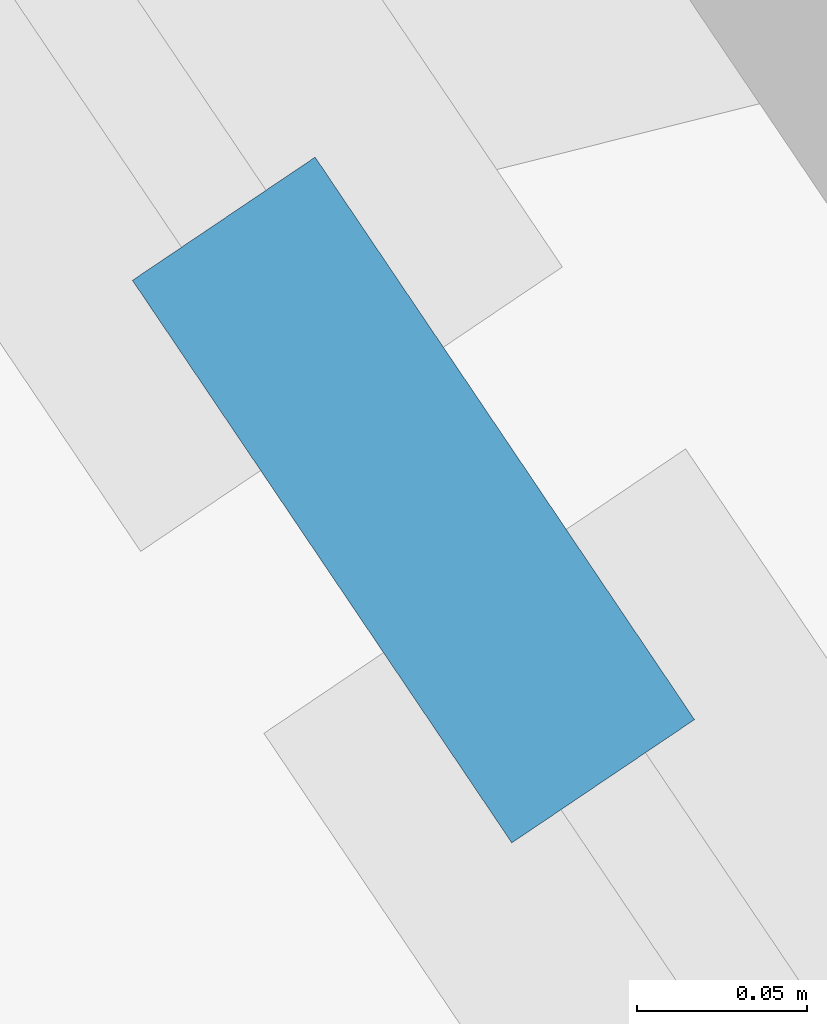
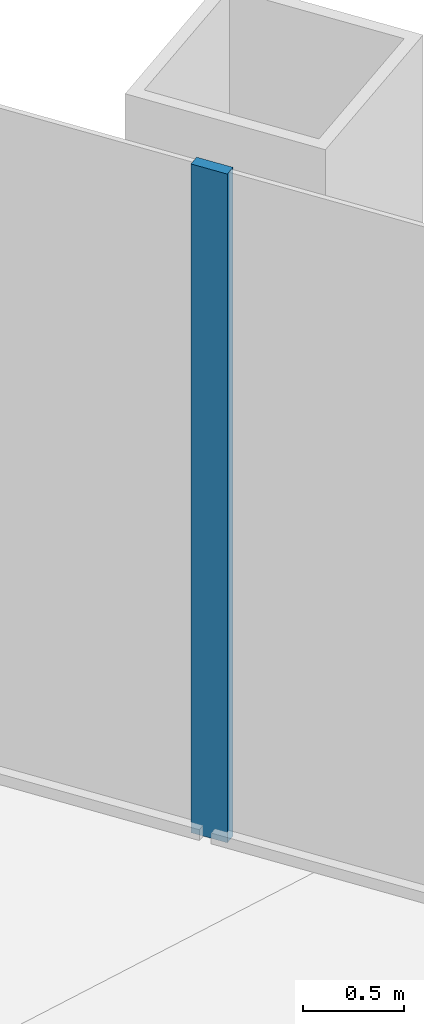
# One storey, part 5 of 13: 1 member, 1 element without a shape of its own.
"""IFC4 building model written with IfcOpenShell, lengths in metres."""

from ifc_helpers import new_model, si_unit, direction, frame, origin, origin_2d, place, context, subcontext, project, spatial, rectangle, extrude, material, material_profile, profile_set, type_object, element, aggregate, save


model = new_model("IFC4")

# Units and contexts
model_context = context("Model", 3, precision=1e-05, world=origin(), true_north=direction((0.0, 1.0)))
body_context = subcontext(model_context, "Body", "Model", "MODEL_VIEW")
ifc_project = project(units=[si_unit("LENGTHUNIT", "METRE"), si_unit("AREAUNIT", "SQUARE_METRE"), si_unit("VOLUMEUNIT", "CUBIC_METRE"), si_unit("PLANEANGLEUNIT", "RADIAN"), si_unit("MASSUNIT", "GRAM", prefix="KILO")], contexts=[model_context])

# Site, building, storey
site_placement = place(None, origin())
site = spatial("IfcSite", under=ifc_project, at=site_placement, CompositionType="ELEMENT")
building_placement = place(site_placement, origin())
building = spatial("IfcBuilding", under=site, at=building_placement, Name="Qingtian Harvest Tower", CompositionType="ELEMENT")
storey_placement = place(building_placement, frame((0.0, 0.0, 188.800048828125)))
storey = spatial("IfcBuildingStorey", under=building, at=storey_placement, Name="L40", CompositionType="ELEMENT", Elevation=188.800048828125)

# Curtain wall, member
ifc_material_1 = material(Name="Bronze-anodised aluminium curtain wall", Category="aluminium")
curtain_wall_type = type_object("IfcCurtainWallType", Name="Curtain wall CW4 office", PredefinedType="USERDEFINED", material=ifc_material_1)
curtain_wall_placement = place(storey_placement, origin())
curtain_wall = element("IfcCurtainWall", 1, at=curtain_wall_placement, inside=storey, type_object=curtain_wall_type, Name="Curtain wall CW4 L40 NE0-5", ObjectType="RECESSED CURTAIN WALL", PredefinedType="USERDEFINED")
ifc_material_2 = material(Name="Bronze-anodised aluminium mullion", Category="aluminium")
ifc_material_profile = material_profile(ifc_material_2, rectangle(XDim=0.06494140625, YDim=0.199951171875, at=origin_2d()), Name="AL 65x200")
ifc_profile_set = profile_set([ifc_material_profile], Name="Bronze-anodised aluminium mullion")
member_type = type_object("IfcMemberType", Name="Mullion CWM 65x200", PredefinedType="MULLION", material=ifc_profile_set)
member_placement = place(storey_placement, frame((23.150390625, 5.55712890625, 0.0), z_axis=(0.0, 0.0, 1.0), x_axis=(0.829037572555, 0.559192903471, 0.0)))
member = element("IfcMember", 2, at=member_placement, type_object=member_type, Name="CW4 mullion 6", PredefinedType="MULLION", context=body_context, shape_type="SweptSolid", body=[
    extrude(rectangle(XDim=0.06494140625, YDim=0.199951171875, at=origin_2d()), origin(), (0.0, 0.0, 1.0), 4.030029296875),
])
aggregate(curtain_wall, [member])

save(model, "model.ifc")
